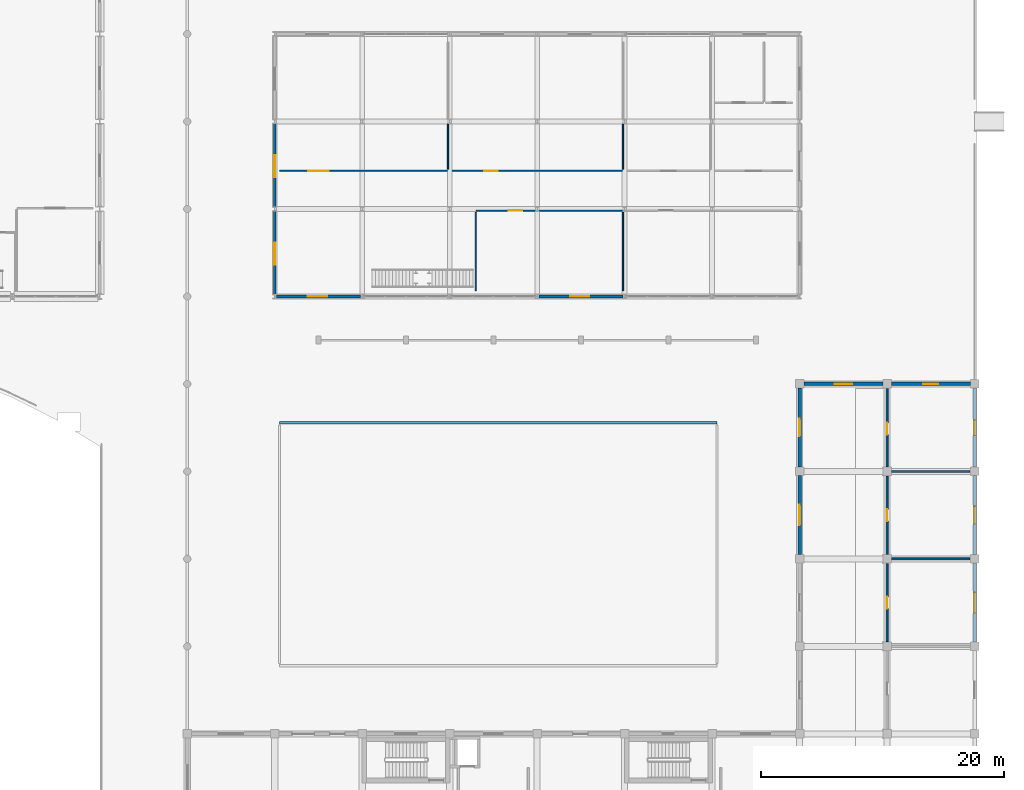
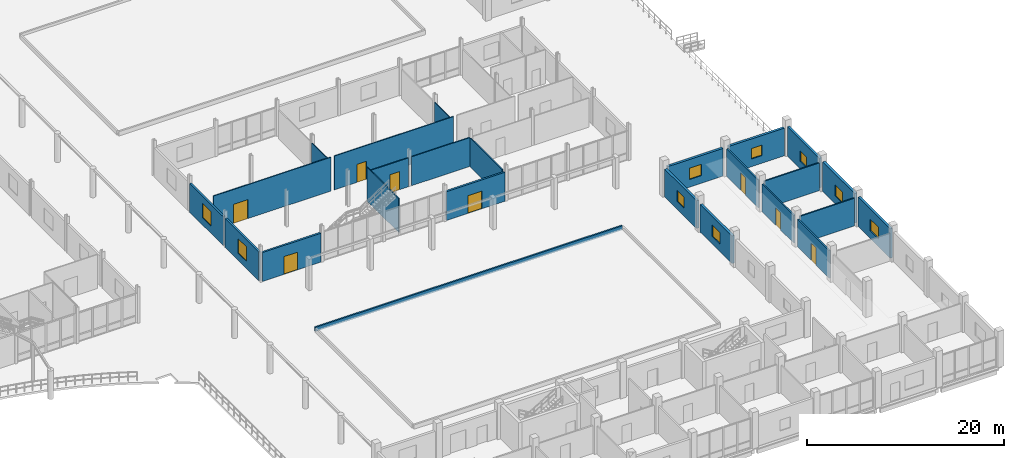
# One storey, part 122 of 139: 25 walls, 9 windows, 8 doors, 17 openings.
"""IFC4 building model written with IfcOpenShell, lengths in metres."""

from ifc_helpers import new_model, si_unit, direction, frame, frame_2d, origin, place, context, subcontext, project, spatial, rectangle, extrude, material, layer, layer_set, type_object, element, fill, save


model = new_model("IFC4")

# Units and contexts
model_context = context("Model", 3, precision=1e-05, world=origin(), true_north=direction((0.0, 1.0)))
body_context = subcontext(model_context, "Body", "Model", "MODEL_VIEW")
ifc_project = project(units=[si_unit("LENGTHUNIT", "METRE"), si_unit("AREAUNIT", "SQUARE_METRE"), si_unit("VOLUMEUNIT", "CUBIC_METRE"), si_unit("PLANEANGLEUNIT", "RADIAN"), si_unit("MASSUNIT", "GRAM", prefix="KILO")], contexts=[model_context])

# Site, building, storey
site_placement = place(None, origin())
site = spatial("IfcSite", under=ifc_project, at=site_placement, CompositionType="ELEMENT")
building_placement = place(site_placement, origin())
building = spatial("IfcBuilding", under=site, at=building_placement, Name="Suanplinth Sawtooth Commons", CompositionType="ELEMENT")
storey_placement = place(building_placement, origin())
storey = spatial("IfcBuildingStorey", under=building, at=storey_placement, Name="L00", CompositionType="ELEMENT", Elevation=0.0)

# Wall, opening, window
ifc_material_1 = material(Name="Precast concrete C40/50", Category="concrete")
ifc_layer_1 = layer(ifc_material_1, 0.280029296875, Name="Insulated precast architectural facade wall 280mm")
ifc_layer_set_1 = layer_set([ifc_layer_1], Name="Precast concrete C40/50")
wall_type_1 = type_object("IfcWallType", Name="W-EX01", PredefinedType="ELEMENTEDWALL", material=ifc_layer_set_1)
wall_1_placement = place(storey_placement, frame((172.800048828125, 29.14990234375, 0.0), z_axis=(0.0, 0.0, 1.0), x_axis=(0.0, 1.0, 0.0)))
wall_1 = element("IfcWall", 1, at=wall_1_placement, inside=storey, type_object=wall_type_1, Name="Facade Wall W-L00-C-W-24-4", PredefinedType="ELEMENTEDWALL", context=body_context, shape_type="SweptSolid", body=[
    extrude(rectangle(XDim=6.5, YDim=0.280029296875, at=frame_2d((3.25, 0.0))), origin(), (0.0, 0.0, 1.0), 3.43505859375),
])
opening_1_placement = place(wall_1_placement, frame((2.39990234375, 0.0, 0.949951171875)))
opening_1 = element("IfcOpeningElement", 2, at=opening_1_placement, cuts=wall_1, Name="Opening W0135", PredefinedType="OPENING", context=body_context, shape_type="SweptSolid", body=[
    extrude(rectangle(XDim=1.699951171875, YDim=1.449951171875, at=frame_2d((0.85009765625, 0.72509765625))), frame((0.0, 0.15478515625, 0.0), z_axis=(0.0, -1.0, 0.0), x_axis=(1.0, 0.0, 0.0)), (0.0, 0.0, 1.0), 0.309814453125),
])
ifc_material_2 = material(Name="Thermally broken aluminium and low-E double glazing", Category="aluminium")
window_type_1 = type_object("IfcWindowType", Name="WN-15", PartitioningType="DOUBLE_PANEL_VERTICAL", PredefinedType="WINDOW", material=ifc_material_2)
window_1_placement = place(opening_1_placement, origin())
window_1 = element("IfcWindow", 3, at=window_1_placement, inside=storey, type_object=window_type_1, Name="Window L00-C-W-24-4", OverallHeight=1.449951171875, OverallWidth=1.699951171875, PartitioningType="DOUBLE_PANEL_VERTICAL", PredefinedType="WINDOW", context=body_context, shape_type="SweptSolid", body=[
    extrude(rectangle(XDim=1.699951171875, YDim=1.449951171875, at=frame_2d((0.85009765625, 0.72509765625))), frame((0.0, 0.030029296875, 0.0), z_axis=(0.0, -1.0, 0.0), x_axis=(1.0, 0.0, 0.0)), (0.0, 0.0, 1.0), 0.06005859375),
])
fill(opening_1, window_1)

wall_2_placement = place(storey_placement, frame((173.14990234375, 43.199951171875, 0.0), z_axis=(0.0, 0.0, 1.0), x_axis=(1.0, 0.0, 0.0)))
wall_2 = element("IfcWall", 4, at=wall_2_placement, inside=storey, type_object=wall_type_1, Name="Facade Wall W-L00-C-N-24-5", PredefinedType="ELEMENTEDWALL", context=body_context, shape_type="SweptSolid", body=[
    extrude(rectangle(XDim=6.5, YDim=0.280029296875, at=frame_2d((3.25, 0.0))), origin(), (0.0, 0.0, 1.0), 3.43505859375),
])
opening_2_placement = place(wall_2_placement, frame((2.52490234375, 0.0, 0.949951171875)))
opening_2 = element("IfcOpeningElement", 5, at=opening_2_placement, cuts=wall_2, Name="Opening W0136", PredefinedType="OPENING", context=body_context, shape_type="SweptSolid", body=[
    extrude(rectangle(XDim=1.449951171875, YDim=1.39990234375, at=frame_2d((0.72509765625, 0.699951171875))), frame((0.0, 0.15478515625, 0.0), z_axis=(0.0, -1.0, 0.0), x_axis=(1.0, 0.0, 0.0)), (0.0, 0.0, 1.0), 0.309814453125),
])
window_type_2 = type_object("IfcWindowType", Name="WN-16", PartitioningType="DOUBLE_PANEL_VERTICAL", PredefinedType="WINDOW", material=ifc_material_2)
window_2_placement = place(opening_2_placement, origin())
window_2 = element("IfcWindow", 6, at=window_2_placement, inside=storey, type_object=window_type_2, Name="Window L00-C-N-24-5", OverallHeight=1.39990234375, OverallWidth=1.449951171875, PartitioningType="DOUBLE_PANEL_VERTICAL", PredefinedType="WINDOW", context=body_context, shape_type="SweptSolid", body=[
    extrude(rectangle(XDim=1.449951171875, YDim=1.39990234375, at=frame_2d((0.72509765625, 0.699951171875))), frame((0.0, 0.030029296875, 0.0), z_axis=(0.0, -1.0, 0.0), x_axis=(1.0, 0.0, 0.0)), (0.0, 0.0, 1.0), 0.06005859375),
])
fill(opening_2, window_2)

wall_3_placement = place(storey_placement, frame((172.800048828125, 36.35009765625, 0.0), z_axis=(0.0, 0.0, 1.0), x_axis=(0.0, 1.0, 0.0)))
wall_3 = element("IfcWall", 7, at=wall_3_placement, inside=storey, type_object=wall_type_1, Name="Facade Wall W-L00-C-W-24-5", PredefinedType="ELEMENTEDWALL", context=body_context, shape_type="SweptSolid", body=[
    extrude(rectangle(XDim=6.5, YDim=0.280029296875, at=frame_2d((3.25, 0.0))), origin(), (0.0, 0.0, 1.0), 3.43505859375),
])
opening_3_placement = place(wall_3_placement, frame((2.52490234375, 0.0, 0.949951171875)))
opening_3 = element("IfcOpeningElement", 8, at=opening_3_placement, cuts=wall_3, Name="Opening W0137", PredefinedType="OPENING", context=body_context, shape_type="SweptSolid", body=[
    extrude(rectangle(XDim=1.449951171875, YDim=1.39990234375, at=frame_2d((0.72509765625, 0.699951171875))), frame((0.0, 0.15478515625, 0.0), z_axis=(0.0, -1.0, 0.0), x_axis=(1.0, 0.0, 0.0)), (0.0, 0.0, 1.0), 0.309814453125),
])
window_3_placement = place(opening_3_placement, origin())
window_3 = element("IfcWindow", 9, at=window_3_placement, inside=storey, type_object=window_type_2, Name="Window L00-C-W-24-5", OverallHeight=1.39990234375, OverallWidth=1.449951171875, PartitioningType="DOUBLE_PANEL_VERTICAL", PredefinedType="WINDOW", context=body_context, shape_type="SweptSolid", body=[
    extrude(rectangle(XDim=1.449951171875, YDim=1.39990234375, at=frame_2d((0.72509765625, 0.699951171875))), frame((0.0, 0.030029296875, 0.0), z_axis=(0.0, -1.0, 0.0), x_axis=(1.0, 0.0, 0.0)), (0.0, 0.0, 1.0), 0.06005859375),
])
fill(opening_3, window_3)

wall_4_placement = place(storey_placement, frame((187.199951171875, 21.949951171875, 0.0), z_axis=(0.0, 0.0, 1.0), x_axis=(0.0, 1.0, 0.0)))
wall_4 = element("IfcWall", 10, at=wall_4_placement, inside=storey, type_object=wall_type_1, Name="Facade Wall W-L00-C-E-25-3", PredefinedType="ELEMENTEDWALL", context=body_context, shape_type="SweptSolid", body=[
    extrude(rectangle(XDim=6.5, YDim=0.280029296875, at=frame_2d((3.25, 0.0))), origin(), (0.0, 0.0, 1.0), 3.6650390625),
])
opening_4_placement = place(wall_4_placement, frame((2.39990234375, 0.0, 0.949951171875)))
opening_4 = element("IfcOpeningElement", 11, at=opening_4_placement, cuts=wall_4, Name="Opening W0141", PredefinedType="OPENING", context=body_context, shape_type="SweptSolid", body=[
    extrude(rectangle(XDim=1.699951171875, YDim=1.449951171875, at=frame_2d((0.85009765625, 0.72509765625))), frame((0.0, 0.15478515625, 0.0), z_axis=(0.0, -1.0, 0.0), x_axis=(1.0, 0.0, 0.0)), (0.0, 0.0, 1.0), 0.309814453125),
])
window_4_placement = place(opening_4_placement, origin())
window_4 = element("IfcWindow", 12, at=window_4_placement, inside=storey, type_object=window_type_1, Name="Window L00-C-E-25-3", OverallHeight=1.449951171875, OverallWidth=1.699951171875, PartitioningType="DOUBLE_PANEL_VERTICAL", PredefinedType="WINDOW", context=body_context, shape_type="SweptSolid", body=[
    extrude(rectangle(XDim=1.699951171875, YDim=1.449951171875, at=frame_2d((0.85009765625, 0.72509765625))), frame((0.0, 0.030029296875, 0.0), z_axis=(0.0, -1.0, 0.0), x_axis=(1.0, 0.0, 0.0)), (0.0, 0.0, 1.0), 0.06005859375),
])
fill(opening_4, window_4)

wall_5_placement = place(storey_placement, frame((187.199951171875, 29.14990234375, 0.0), z_axis=(0.0, 0.0, 1.0), x_axis=(0.0, 1.0, 0.0)))
wall_5 = element("IfcWall", 13, at=wall_5_placement, inside=storey, type_object=wall_type_1, Name="Facade Wall W-L00-C-E-25-4", PredefinedType="ELEMENTEDWALL", context=body_context, shape_type="SweptSolid", body=[
    extrude(rectangle(XDim=6.5, YDim=0.280029296875, at=frame_2d((3.25, 0.0))), origin(), (0.0, 0.0, 1.0), 3.6650390625),
])
opening_5_placement = place(wall_5_placement, frame((2.52490234375, 0.0, 0.949951171875)))
opening_5 = element("IfcOpeningElement", 14, at=opening_5_placement, cuts=wall_5, Name="Opening W0142", PredefinedType="OPENING", context=body_context, shape_type="SweptSolid", body=[
    extrude(rectangle(XDim=1.449951171875, YDim=1.39990234375, at=frame_2d((0.72509765625, 0.699951171875))), frame((0.0, 0.15478515625, 0.0), z_axis=(0.0, -1.0, 0.0), x_axis=(1.0, 0.0, 0.0)), (0.0, 0.0, 1.0), 0.309814453125),
])
window_5_placement = place(opening_5_placement, origin())
window_5 = element("IfcWindow", 15, at=window_5_placement, inside=storey, type_object=window_type_2, Name="Window L00-C-E-25-4", OverallHeight=1.39990234375, OverallWidth=1.449951171875, PartitioningType="DOUBLE_PANEL_VERTICAL", PredefinedType="WINDOW", context=body_context, shape_type="SweptSolid", body=[
    extrude(rectangle(XDim=1.449951171875, YDim=1.39990234375, at=frame_2d((0.72509765625, 0.699951171875))), frame((0.0, 0.030029296875, 0.0), z_axis=(0.0, -1.0, 0.0), x_axis=(1.0, 0.0, 0.0)), (0.0, 0.0, 1.0), 0.06005859375),
])
fill(opening_5, window_5)

wall_6_placement = place(storey_placement, frame((180.35009765625, 43.199951171875, 0.0), z_axis=(0.0, 0.0, 1.0), x_axis=(1.0, 0.0, 0.0)))
wall_6 = element("IfcWall", 16, at=wall_6_placement, inside=storey, type_object=wall_type_1, Name="Facade Wall W-L00-C-N-25-5", PredefinedType="ELEMENTEDWALL", context=body_context, shape_type="SweptSolid", body=[
    extrude(rectangle(XDim=6.5, YDim=0.280029296875, at=frame_2d((3.25, 0.0))), origin(), (0.0, 0.0, 1.0), 3.43505859375),
])
opening_6_placement = place(wall_6_placement, frame((2.625, 0.0, 0.949951171875)))
opening_6 = element("IfcOpeningElement", 17, at=opening_6_placement, cuts=wall_6, Name="Opening W0143", PredefinedType="OPENING", context=body_context, shape_type="SweptSolid", body=[
    extrude(rectangle(XDim=1.25, YDim=1.300048828125, at=frame_2d((0.625, 0.64990234375))), frame((0.0, 0.15478515625, 0.0), z_axis=(0.0, -1.0, 0.0), x_axis=(1.0, 0.0, 0.0)), (0.0, 0.0, 1.0), 0.309814453125),
])
window_type_3 = type_object("IfcWindowType", Name="WN-17", PartitioningType="SINGLE_PANEL", PredefinedType="WINDOW", material=ifc_material_2)
window_6_placement = place(opening_6_placement, origin())
window_6 = element("IfcWindow", 18, at=window_6_placement, inside=storey, type_object=window_type_3, Name="Window L00-C-N-25-5", OverallHeight=1.300048828125, OverallWidth=1.25, PartitioningType="SINGLE_PANEL", PredefinedType="WINDOW", context=body_context, shape_type="SweptSolid", body=[
    extrude(rectangle(XDim=1.25, YDim=1.300048828125, at=frame_2d((0.625, 0.64990234375))), frame((0.0, 0.030029296875, 0.0), z_axis=(0.0, -1.0, 0.0), x_axis=(1.0, 0.0, 0.0)), (0.0, 0.0, 1.0), 0.06005859375),
])
fill(opening_6, window_6)

wall_7_placement = place(storey_placement, frame((187.199951171875, 36.35009765625, 0.0), z_axis=(0.0, 0.0, 1.0), x_axis=(0.0, 1.0, 0.0)))
wall_7 = element("IfcWall", 19, at=wall_7_placement, inside=storey, type_object=wall_type_1, Name="Facade Wall W-L00-C-E-25-5", PredefinedType="ELEMENTEDWALL", context=body_context, shape_type="SweptSolid", body=[
    extrude(rectangle(XDim=6.5, YDim=0.280029296875, at=frame_2d((3.25, 0.0))), origin(), (0.0, 0.0, 1.0), 3.6650390625),
])
opening_7_placement = place(wall_7_placement, frame((2.625, 0.0, 0.949951171875)))
opening_7 = element("IfcOpeningElement", 20, at=opening_7_placement, cuts=wall_7, Name="Opening W0144", PredefinedType="OPENING", context=body_context, shape_type="SweptSolid", body=[
    extrude(rectangle(XDim=1.25, YDim=1.300048828125, at=frame_2d((0.625, 0.64990234375))), frame((0.0, 0.15478515625, 0.0), z_axis=(0.0, -1.0, 0.0), x_axis=(1.0, 0.0, 0.0)), (0.0, 0.0, 1.0), 0.309814453125),
])
window_7_placement = place(opening_7_placement, origin())
window_7 = element("IfcWindow", 21, at=window_7_placement, inside=storey, type_object=window_type_3, Name="Window L00-C-E-25-5", OverallHeight=1.300048828125, OverallWidth=1.25, PartitioningType="SINGLE_PANEL", PredefinedType="WINDOW", context=body_context, shape_type="SweptSolid", body=[
    extrude(rectangle(XDim=1.25, YDim=1.300048828125, at=frame_2d((0.625, 0.64990234375))), frame((0.0, 0.030029296875, 0.0), z_axis=(0.0, -1.0, 0.0), x_axis=(1.0, 0.0, 0.0)), (0.0, 0.0, 1.0), 0.06005859375),
])
fill(opening_7, window_7)

# Wall, opening, door
ifc_layer_2 = layer(ifc_material_1, 0.219970703125, Name="Civic pavilion insulated facade wall 220mm")
ifc_layer_set_2 = layer_set([ifc_layer_2], Name="Precast concrete C40/50")
wall_type_2 = type_object("IfcWallType", Name="W-EX05", PredefinedType="ELEMENTEDWALL", material=ifc_layer_set_2)
wall_8_placement = place(storey_placement, frame((129.75, 50.39990234375, 0.0), z_axis=(0.0, 0.0, 1.0), x_axis=(1.0, 0.0, 0.0)))
wall_8 = element("IfcWall", 22, at=wall_8_placement, inside=storey, type_object=wall_type_2, Name="Nursery South Entrance Wall 18", PredefinedType="ELEMENTEDWALL", context=body_context, shape_type="SweptSolid", body=[
    extrude(rectangle(XDim=6.89990234375, YDim=0.219970703125, at=frame_2d((3.449951171875, 0.0))), origin(), (0.0, 0.0, 1.0), 3.5849609375),
])
opening_8_placement = place(wall_8_placement, frame((2.550048828125, 0.0, 0.0)))
opening_8 = element("IfcOpeningElement", 23, at=opening_8_placement, cuts=wall_8, Name="Opening ED0009", PredefinedType="OPENING", context=body_context, shape_type="SweptSolid", body=[
    extrude(rectangle(XDim=1.60009765625, YDim=2.199951171875, at=frame_2d((0.800048828125, 1.10009765625))), frame((0.0, 0.125, 0.0), z_axis=(0.0, -1.0, 0.0), x_axis=(1.0, 0.0, 0.0)), (0.0, 0.0, 1.0), 0.249755859375),
])
ifc_material_3 = material(Name="Anodized aluminium and safety glass", Category="aluminium")
door_type_1 = type_object("IfcDoorType", Name="ED-04", OperationType="DOUBLE_DOOR_SINGLE_SWING", PredefinedType="DOOR", material=ifc_material_3)
door_1_placement = place(opening_8_placement, frame((1.60009765625, 0.0, 0.0), z_axis=(0.0, 0.0, 1.0), x_axis=(-1.0, 0.0, 0.0)))
door_1 = element("IfcDoor", 24, at=door_1_placement, inside=storey, type_object=door_type_1, Name="Nursery Courtyard Entrance 18", OperationType="DOUBLE_DOOR_SINGLE_SWING", OverallHeight=2.199951171875, OverallWidth=1.60009765625, PredefinedType="DOOR", context=body_context, shape_type="SweptSolid", body=[
    extrude(rectangle(XDim=1.60009765625, YDim=2.199951171875, at=frame_2d((0.800048828125, 1.10009765625))), frame((0.0, 0.02490234375, 0.0), z_axis=(0.0, -1.0, 0.0), x_axis=(1.0, 0.0, 0.0)), (0.0, 0.0, 1.0), 0.050048828125),
])
fill(opening_8, door_1)

wall_9_placement = place(storey_placement, frame((151.35009765625, 50.39990234375, 0.0), z_axis=(0.0, 0.0, 1.0), x_axis=(1.0, 0.0, 0.0)))
wall_9 = element("IfcWall", 25, at=wall_9_placement, inside=storey, type_object=wall_type_2, Name="Nursery South Entrance Wall 21", PredefinedType="ELEMENTEDWALL", context=body_context, shape_type="SweptSolid", body=[
    extrude(rectangle(XDim=6.89990234375, YDim=0.219970703125, at=frame_2d((3.449951171875, 0.0))), origin(), (0.0, 0.0, 1.0), 3.5849609375),
])
opening_9_placement = place(wall_9_placement, frame((2.550048828125, 0.0, 0.0)))
opening_9 = element("IfcOpeningElement", 26, at=opening_9_placement, cuts=wall_9, Name="Opening ED0010", PredefinedType="OPENING", context=body_context, shape_type="SweptSolid", body=[
    extrude(rectangle(XDim=1.60009765625, YDim=2.199951171875, at=frame_2d((0.800048828125, 1.10009765625))), frame((0.0, 0.125, 0.0), z_axis=(0.0, -1.0, 0.0), x_axis=(1.0, 0.0, 0.0)), (0.0, 0.0, 1.0), 0.249755859375),
])
door_2_placement = place(opening_9_placement, frame((1.60009765625, 0.0, 0.0), z_axis=(0.0, 0.0, 1.0), x_axis=(-1.0, 0.0, 0.0)))
door_2 = element("IfcDoor", 27, at=door_2_placement, inside=storey, type_object=door_type_1, Name="Nursery Courtyard Entrance 21", OperationType="DOUBLE_DOOR_SINGLE_SWING", OverallHeight=2.199951171875, OverallWidth=1.60009765625, PredefinedType="DOOR", context=body_context, shape_type="SweptSolid", body=[
    extrude(rectangle(XDim=1.60009765625, YDim=2.199951171875, at=frame_2d((0.800048828125, 1.10009765625))), frame((0.0, 0.02490234375, 0.0), z_axis=(0.0, -1.0, 0.0), x_axis=(1.0, 0.0, 0.0)), (0.0, 0.0, 1.0), 0.050048828125),
])
fill(opening_9, door_2)

# Wall, opening, window
wall_10_placement = place(storey_placement, frame((129.60009765625, 50.580078125, 0.0), z_axis=(0.0, 0.0, 1.0), x_axis=(0.0, 1.0, 0.0)))
wall_10 = element("IfcWall", 28, at=wall_10_placement, inside=storey, type_object=wall_type_2, Name="Nursery W Wall L00-7", PredefinedType="ELEMENTEDWALL", context=body_context, shape_type="SweptSolid", body=[
    extrude(rectangle(XDim=6.83984375, YDim=0.219970703125, at=frame_2d((3.419921875, 0.0))), origin(), (0.0, 0.0, 1.0), 3.5849609375),
])
opening_10_placement = place(wall_10_placement, frame((2.449951171875, 0.0, 0.89990234375)))
opening_10 = element("IfcOpeningElement", 29, at=opening_10_placement, cuts=wall_10, Name="Opening W0042", PredefinedType="OPENING", context=body_context, shape_type="SweptSolid", body=[
    extrude(rectangle(XDim=1.800048828125, YDim=1.800048828125, at=frame_2d((0.89990234375, 0.89990234375))), frame((0.0, 0.125, 0.0), z_axis=(0.0, -1.0, 0.0), x_axis=(1.0, 0.0, 0.0)), (0.0, 0.0, 1.0), 0.249755859375),
])
window_type_4 = type_object("IfcWindowType", Name="WN-07", PartitioningType="DOUBLE_PANEL_VERTICAL", PredefinedType="WINDOW", material=ifc_material_2)
window_8_placement = place(opening_10_placement, origin())
window_8 = element("IfcWindow", 30, at=window_8_placement, inside=storey, type_object=window_type_4, Name="Nursery W Window L00-7", OverallHeight=1.800048828125, OverallWidth=1.800048828125, PartitioningType="DOUBLE_PANEL_VERTICAL", PredefinedType="WINDOW", context=body_context, shape_type="SweptSolid", body=[
    extrude(rectangle(XDim=1.800048828125, YDim=1.800048828125, at=frame_2d((0.89990234375, 0.89990234375))), frame((0.0, 0.030029296875, 0.0), z_axis=(0.0, -1.0, 0.0), x_axis=(1.0, 0.0, 0.0)), (0.0, 0.0, 1.0), 0.06005859375),
])
fill(opening_10, window_8)

wall_11_placement = place(storey_placement, frame((129.60009765625, 57.780029296875, 0.0), z_axis=(0.0, 0.0, 1.0), x_axis=(0.0, 1.0, 0.0)))
wall_11 = element("IfcWall", 31, at=wall_11_placement, inside=storey, type_object=wall_type_2, Name="Nursery W Wall L00-8", PredefinedType="ELEMENTEDWALL", context=body_context, shape_type="SweptSolid", body=[
    extrude(rectangle(XDim=6.840087890625, YDim=0.219970703125, at=frame_2d((3.419921875, 0.0))), origin(), (0.0, 0.0, 1.0), 3.5849609375),
])
opening_11_placement = place(wall_11_placement, frame((2.449951171875, 0.0, 0.89990234375)))
opening_11 = element("IfcOpeningElement", 32, at=opening_11_placement, cuts=wall_11, Name="Opening W0046", PredefinedType="OPENING", context=body_context, shape_type="SweptSolid", body=[
    extrude(rectangle(XDim=1.800048828125, YDim=1.800048828125, at=frame_2d((0.89990234375, 0.89990234375))), frame((0.0, 0.125, 0.0), z_axis=(0.0, -1.0, 0.0), x_axis=(1.0, 0.0, 0.0)), (0.0, 0.0, 1.0), 0.249755859375),
])
window_9_placement = place(opening_11_placement, origin())
window_9 = element("IfcWindow", 33, at=window_9_placement, inside=storey, type_object=window_type_4, Name="Nursery W Window L00-8", OverallHeight=1.800048828125, OverallWidth=1.800048828125, PartitioningType="DOUBLE_PANEL_VERTICAL", PredefinedType="WINDOW", context=body_context, shape_type="SweptSolid", body=[
    extrude(rectangle(XDim=1.800048828125, YDim=1.800048828125, at=frame_2d((0.89990234375, 0.89990234375))), frame((0.0, 0.030029296875, 0.0), z_axis=(0.0, -1.0, 0.0), x_axis=(1.0, 0.0, 0.0)), (0.0, 0.0, 1.0), 0.06005859375),
])
fill(opening_11, window_9)

# Wall, opening, door
ifc_layer_3 = layer(ifc_material_1, 0.159912109375, Name="Fire-rated corridor and lobby wall 160mm")
ifc_layer_set_3 = layer_set([ifc_layer_3], Name="Precast concrete C40/50")
wall_type_3 = type_object("IfcWallType", Name="W-FW01", PredefinedType="PARTITIONING", material=ifc_layer_set_3)
wall_12_placement = place(storey_placement, frame((180.0, 21.97998046875, 0.0), z_axis=(0.0, 0.0, 1.0), x_axis=(0.0, 1.0, 0.0)))
wall_12 = element("IfcWall", 34, at=wall_12_placement, inside=storey, type_object=wall_type_3, Name="W-C-L00-GROUNDROOM-39-COR", PredefinedType="PARTITIONING", context=body_context, shape_type="SweptSolid", body=[
    extrude(rectangle(XDim=6.43994140625, YDim=0.159912109375, at=frame_2d((3.219970703125, 0.0))), origin(), (0.0, 0.0, 1.0), 3.43505859375),
])
opening_12_placement = place(wall_12_placement, frame((2.719970703125, 0.0, 0.0)))
opening_12 = element("IfcOpeningElement", 35, at=opening_12_placement, cuts=wall_12, Name="Opening FD0509", PredefinedType="OPENING", context=body_context, shape_type="SweptSolid", body=[
    extrude(rectangle(XDim=1.0, YDim=2.14990234375, at=frame_2d((0.5, 1.074951171875))), frame((0.0, 0.0947265625, 0.0), z_axis=(0.0, -1.0, 0.0), x_axis=(1.0, 0.0, 0.0)), (0.0, 0.0, 1.0), 0.189697265625),
])
ifc_material_4 = material(Name="Teak hardwood fire-rated door assembly", Category="wood")
door_type_2 = type_object("IfcDoorType", Name="FD-03", OperationType="NOTDEFINED", PredefinedType="DOOR", material=ifc_material_4)
door_3_placement = place(opening_12_placement, frame((1.0, 0.0, 0.0), z_axis=(0.0, 0.0, 1.0), x_axis=(-1.0, 0.0, 0.0)))
door_3 = element("IfcDoor", 36, at=door_3_placement, inside=storey, type_object=door_type_2, Name="Wing Unit Entrance Door FD0509", OperationType="SINGLE_SWING_LEFT", OverallHeight=2.14990234375, OverallWidth=1.0, PredefinedType="DOOR", context=body_context, shape_type="SweptSolid", body=[
    extrude(rectangle(XDim=1.0, YDim=2.14990234375, at=frame_2d((0.5, 1.074951171875))), frame((0.0, 0.02490234375, 0.0), z_axis=(0.0, -1.0, 0.0), x_axis=(1.0, 0.0, 0.0)), (0.0, 0.0, 1.0), 0.050048828125),
])
fill(opening_12, door_3)

wall_13_placement = place(storey_placement, frame((180.0, 29.179931640625, 0.0), z_axis=(0.0, 0.0, 1.0), x_axis=(0.0, 1.0, 0.0)))
wall_13 = element("IfcWall", 37, at=wall_13_placement, inside=storey, type_object=wall_type_3, Name="W-C-L00-GROUNDROOM-40-COR", PredefinedType="PARTITIONING", context=body_context, shape_type="SweptSolid", body=[
    extrude(rectangle(XDim=6.440185546875, YDim=0.159912109375, at=frame_2d((3.22021484375, 0.0))), origin(), (0.0, 0.0, 1.0), 3.43505859375),
])
opening_13_placement = place(wall_13_placement, frame((2.719970703125, 0.0, 0.0)))
opening_13 = element("IfcOpeningElement", 38, at=opening_13_placement, cuts=wall_13, Name="Opening FD0510", PredefinedType="OPENING", context=body_context, shape_type="SweptSolid", body=[
    extrude(rectangle(XDim=1.0, YDim=2.14990234375, at=frame_2d((0.5, 1.074951171875))), frame((0.0, 0.0947265625, 0.0), z_axis=(0.0, -1.0, 0.0), x_axis=(1.0, 0.0, 0.0)), (0.0, 0.0, 1.0), 0.189697265625),
])
door_4_placement = place(opening_13_placement, frame((1.0, 0.0, 0.0), z_axis=(0.0, 0.0, 1.0), x_axis=(-1.0, 0.0, 0.0)))
door_4 = element("IfcDoor", 39, at=door_4_placement, inside=storey, type_object=door_type_2, Name="Wing Unit Entrance Door FD0510", OperationType="SINGLE_SWING_RIGHT", OverallHeight=2.14990234375, OverallWidth=1.0, PredefinedType="DOOR", context=body_context, shape_type="SweptSolid", body=[
    extrude(rectangle(XDim=1.0, YDim=2.14990234375, at=frame_2d((0.5, 1.074951171875))), frame((0.0, 0.02490234375, 0.0), z_axis=(0.0, -1.0, 0.0), x_axis=(1.0, 0.0, 0.0)), (0.0, 0.0, 1.0), 0.050048828125),
])
fill(opening_13, door_4)

wall_14_placement = place(storey_placement, frame((180.0, 36.3798828125, 0.0), z_axis=(0.0, 0.0, 1.0), x_axis=(0.0, 1.0, 0.0)))
wall_14 = element("IfcWall", 40, at=wall_14_placement, inside=storey, type_object=wall_type_3, Name="W-C-L00-GROUNDROOM-41-COR", PredefinedType="PARTITIONING", context=body_context, shape_type="SweptSolid", body=[
    extrude(rectangle(XDim=6.440185546875, YDim=0.159912109375, at=frame_2d((3.22021484375, 0.0))), origin(), (0.0, 0.0, 1.0), 3.43505859375),
])
opening_14_placement = place(wall_14_placement, frame((2.6201171875, 0.0, 0.0)))
opening_14 = element("IfcOpeningElement", 41, at=opening_14_placement, cuts=wall_14, Name="Opening FD0511", PredefinedType="OPENING", context=body_context, shape_type="SweptSolid", body=[
    extrude(rectangle(XDim=1.0, YDim=2.14990234375, at=frame_2d((0.5, 1.074951171875))), frame((0.0, 0.0947265625, 0.0), z_axis=(0.0, -1.0, 0.0), x_axis=(1.0, 0.0, 0.0)), (0.0, 0.0, 1.0), 0.189697265625),
])
door_5_placement = place(opening_14_placement, frame((1.0, 0.0, 0.0), z_axis=(0.0, 0.0, 1.0), x_axis=(-1.0, 0.0, 0.0)))
door_5 = element("IfcDoor", 42, at=door_5_placement, inside=storey, type_object=door_type_2, Name="Wing Unit Entrance Door FD0511", OperationType="SINGLE_SWING_LEFT", OverallHeight=2.14990234375, OverallWidth=1.0, PredefinedType="DOOR", context=body_context, shape_type="SweptSolid", body=[
    extrude(rectangle(XDim=1.0, YDim=2.14990234375, at=frame_2d((0.5, 1.074951171875))), frame((0.0, 0.02490234375, 0.0), z_axis=(0.0, -1.0, 0.0), x_axis=(1.0, 0.0, 0.0)), (0.0, 0.0, 1.0), 0.050048828125),
])
fill(opening_14, door_5)

# Walls
ifc_layer_4 = layer(ifc_material_1, 0.14990234375, Name="Acoustic precast party demising wall 150mm")
ifc_layer_set_4 = layer_set([ifc_layer_4], Name="Precast concrete C40/50")
wall_type_4 = type_object("IfcWallType", Name="W-FW02", PredefinedType="PARTITIONING", material=ifc_layer_set_4)
for number, where, z_axis, x_axis, name in (
    (43, (180.3798828125, 28.800048828125, 0.0), (0.0, 0.0, 1.0), (1.0, 0.0, 0.0), "W-C-L00-GROUNDROOM-39-PTY"),
    (44, (180.3798828125, 36.0, 0.0), (0.0, 0.0, 1.0), (1.0, 0.0, 0.0), "W-C-L00-GROUNDROOM-40-PTY"),
):
    element("IfcWall", number, at=place(storey_placement, frame(where, z_axis=z_axis, x_axis=x_axis)), inside=storey, type_object=wall_type_4, Name=name, PredefinedType="PARTITIONING", context=body_context, shape_type="SweptSolid", body=[
        extrude(rectangle(XDim=6.440185546875, YDim=0.14990234375, at=frame_2d((3.22021484375, 0.0))), origin(), (0.0, 0.0, 1.0), 3.43505859375),
    ])
ifc_layer_5 = layer(ifc_material_1, 0.179931640625, Name="Terrace & courtyard planter kerb wall 180mm")
ifc_layer_set_5 = layer_set([ifc_layer_5], Name="Precast concrete C40/50")
wall_type_5 = type_object("IfcWallType", Name="W-PR02", PredefinedType="PARAPET", material=ifc_layer_set_5)
wall_15_placement = place(storey_placement, frame((130.0, 40.0, 0.0), z_axis=(0.0, 0.0, 1.0), x_axis=(1.0, 0.0, 0.0)))
element("IfcWall", 45, at=wall_15_placement, inside=storey, type_object=wall_type_5, Name="South-East Canal-Court Lotus Planter Kerb N", PredefinedType="PARAPET", context=body_context, shape_type="SweptSolid", body=[
    extrude(rectangle(XDim=36.0, YDim=0.179931640625, at=frame_2d((18.0, 0.0))), origin(), (0.0, 0.0, 1.0), 0.52001953125),
])

# Wall, opening, door
ifc_material_5 = material(Name="Gypsum plasterboard on steel stud", Category="steel")
ifc_layer_6 = layer(ifc_material_5, 0.110107421875, Name="Civic classroom and clinic partition 110mm")
ifc_layer_set_6 = layer_set([ifc_layer_6], Name="Gypsum plasterboard on steel stud")
wall_type_6 = type_object("IfcWallType", Name="W-PT04", PredefinedType="PARTITIONING", material=ifc_layer_set_6)
wall_16_placement = place(storey_placement, frame((146.199951171875, 57.4599609375, 0.0), z_axis=(0.0, 0.0, 1.0), x_axis=(1.0, 0.0, 0.0)))
wall_16 = element("IfcWall", 46, at=wall_16_placement, inside=storey, type_object=wall_type_6, Name="W-L00-NURS-TOD1-N-S1", PredefinedType="PARTITIONING", context=body_context, shape_type="SweptSolid", body=[
    extrude(rectangle(XDim=4.820068359375, YDim=0.110107421875, at=frame_2d((2.41015625, 0.0))), origin(), (0.0, 0.0, 1.0), 3.5849609375),
])
opening_15_placement = place(wall_16_placement, frame((2.64990234375, 0.0, 0.0)))
opening_15 = element("IfcOpeningElement", 47, at=opening_15_placement, cuts=wall_16, Name="Opening D0443", PredefinedType="OPENING", context=body_context, shape_type="SweptSolid", body=[
    extrude(rectangle(XDim=1.10009765625, YDim=2.25, at=frame_2d((0.550048828125, 1.125))), frame((0.0, 0.06982421875, 0.0), z_axis=(0.0, -1.0, 0.0), x_axis=(1.0, 0.0, 0.0)), (0.0, 0.0, 1.0), 0.139892578125),
])
ifc_material_6 = material(Name="Teak hardwood", Category="wood")
door_type_3 = type_object("IfcDoorType", Name="D-06", OperationType="NOTDEFINED", PredefinedType="DOOR", material=ifc_material_6)
door_6_placement = place(opening_15_placement, frame((1.10009765625, 0.0, 0.0), z_axis=(0.0, 0.0, 1.0), x_axis=(-1.0, 0.0, 0.0)))
door_6 = element("IfcDoor", 48, at=door_6_placement, inside=storey, type_object=door_type_3, Name="Civic Room Door D0443", OperationType="SINGLE_SWING_LEFT", OverallHeight=2.25, OverallWidth=1.10009765625, PredefinedType="DOOR", context=body_context, shape_type="SweptSolid", body=[
    extrude(rectangle(XDim=1.10009765625, YDim=2.25, at=frame_2d((0.550048828125, 1.125))), frame((0.0, 0.02490234375, 0.0), z_axis=(0.0, -1.0, 0.0), x_axis=(1.0, 0.0, 0.0)), (0.0, 0.0, 1.0), 0.050048828125),
])
fill(opening_15, door_6)

# Walls
wall_17_placement = place(storey_placement, frame((151.3798828125, 57.4599609375, 0.0), z_axis=(0.0, 0.0, 1.0), x_axis=(1.0, 0.0, 0.0)))
element("IfcWall", 49, at=wall_17_placement, inside=storey, type_object=wall_type_6, Name="W-L00-NURS-TOD1-N-S2", PredefinedType="PARTITIONING", context=body_context, shape_type="SweptSolid", body=[
    extrude(rectangle(XDim=6.820068359375, YDim=0.110107421875, at=frame_2d((3.41015625, 0.0))), origin(), (0.0, 0.0, 1.0), 3.5849609375),
])
wall_18_placement = place(storey_placement, frame((146.139892578125, 50.8798828125, 0.0), z_axis=(0.0, 0.0, 1.0), x_axis=(0.0, 1.0, 0.0)))
element("IfcWall", 50, at=wall_18_placement, inside=storey, type_object=wall_type_6, Name="W-L00-NURS-TOD1-W", PredefinedType="PARTITIONING", context=body_context, shape_type="SweptSolid", body=[
    extrude(rectangle(XDim=6.440185546875, YDim=0.110107421875, at=frame_2d((3.22021484375, 0.0))), origin(), (0.0, 0.0, 1.0), 4.199951171875),
])
wall_19_placement = place(storey_placement, frame((158.260009765625, 50.8798828125, 0.0), z_axis=(0.0, 0.0, 1.0), x_axis=(0.0, 1.0, 0.0)))
element("IfcWall", 51, at=wall_19_placement, inside=storey, type_object=wall_type_6, Name="W-L00-NURS-TOD1-E", PredefinedType="PARTITIONING", context=body_context, shape_type="SweptSolid", body=[
    extrude(rectangle(XDim=6.440185546875, YDim=0.110107421875, at=frame_2d((3.22021484375, 0.0))), origin(), (0.0, 0.0, 1.0), 3.5849609375),
])

# Wall, opening, door
wall_20_placement = place(storey_placement, frame((130.0, 60.739990234375, 0.0), z_axis=(0.0, 0.0, 1.0), x_axis=(1.0, 0.0, 0.0)))
wall_20 = element("IfcWall", 52, at=wall_20_placement, inside=storey, type_object=wall_type_6, Name="W-L00-NURS-PRE1-S", PredefinedType="PARTITIONING", context=body_context, shape_type="SweptSolid", body=[
    extrude(rectangle(XDim=13.800048828125, YDim=0.110107421875, at=frame_2d((6.89990234375, 0.0))), origin(), (0.0, 0.0, 1.0), 4.199951171875),
])
opening_16_placement = place(wall_20_placement, frame((2.35009765625, 0.0, 0.0)))
opening_16 = element("IfcOpeningElement", 53, at=opening_16_placement, cuts=wall_20, Name="Opening D0445", PredefinedType="OPENING", context=body_context, shape_type="SweptSolid", body=[
    extrude(rectangle(XDim=1.699951171875, YDim=2.35009765625, at=frame_2d((0.85009765625, 1.175048828125))), frame((0.0, 0.06982421875, 0.0), z_axis=(0.0, -1.0, 0.0), x_axis=(1.0, 0.0, 0.0)), (0.0, 0.0, 1.0), 0.139892578125),
])
door_type_4 = type_object("IfcDoorType", Name="D-11", OperationType="DOUBLE_DOOR_SINGLE_SWING", PredefinedType="DOOR", material=ifc_material_6)
door_7_placement = place(opening_16_placement, origin())
door_7 = element("IfcDoor", 54, at=door_7_placement, inside=storey, type_object=door_type_4, Name="Civic Room Door D0445", OperationType="DOUBLE_DOOR_SINGLE_SWING", OverallHeight=2.35009765625, OverallWidth=1.699951171875, PredefinedType="DOOR", context=body_context, shape_type="SweptSolid", body=[
    extrude(rectangle(XDim=1.699951171875, YDim=2.35009765625, at=frame_2d((0.85009765625, 1.175048828125))), frame((0.0, 0.02490234375, 0.0), z_axis=(0.0, -1.0, 0.0), x_axis=(1.0, 0.0, 0.0)), (0.0, 0.0, 1.0), 0.050048828125),
])
fill(opening_16, door_7)

# Wall
wall_21_placement = place(storey_placement, frame((143.860107421875, 60.8798828125, 0.0), z_axis=(0.0, 0.0, 1.0), x_axis=(0.0, 1.0, 0.0)))
element("IfcWall", 55, at=wall_21_placement, inside=storey, type_object=wall_type_6, Name="W-L00-NURS-PRE1-E-S1", PredefinedType="PARTITIONING", context=body_context, shape_type="SweptSolid", body=[
    extrude(rectangle(XDim=3.740234375, YDim=0.110107421875, at=frame_2d((1.8701171875, 0.0))), origin(), (0.0, 0.0, 1.0), 3.5849609375),
])

# Wall, opening, door
wall_22_placement = place(storey_placement, frame((144.199951171875, 60.739990234375, 0.0), z_axis=(0.0, 0.0, 1.0), x_axis=(1.0, 0.0, 0.0)))
wall_22 = element("IfcWall", 56, at=wall_22_placement, inside=storey, type_object=wall_type_6, Name="W-L00-NURS-PRE2-S", PredefinedType="PARTITIONING", context=body_context, shape_type="SweptSolid", body=[
    extrude(rectangle(XDim=14.0, YDim=0.110107421875, at=frame_2d((7.0, 0.0))), origin(), (0.0, 0.0, 1.0), 4.199951171875),
])
opening_17_placement = place(wall_22_placement, frame((2.64990234375, 0.0, 0.0)))
opening_17 = element("IfcOpeningElement", 57, at=opening_17_placement, cuts=wall_22, Name="Opening D0446", PredefinedType="OPENING", context=body_context, shape_type="SweptSolid", body=[
    extrude(rectangle(XDim=1.10009765625, YDim=2.25, at=frame_2d((0.550048828125, 1.125))), frame((0.0, 0.06982421875, 0.0), z_axis=(0.0, -1.0, 0.0), x_axis=(1.0, 0.0, 0.0)), (0.0, 0.0, 1.0), 0.139892578125),
])
door_8_placement = place(opening_17_placement, origin())
door_8 = element("IfcDoor", 58, at=door_8_placement, inside=storey, type_object=door_type_3, Name="Civic Room Door D0446", OperationType="SINGLE_SWING_LEFT", OverallHeight=2.25, OverallWidth=1.10009765625, PredefinedType="DOOR", context=body_context, shape_type="SweptSolid", body=[
    extrude(rectangle(XDim=1.10009765625, YDim=2.25, at=frame_2d((0.550048828125, 1.125))), frame((0.0, 0.02490234375, 0.0), z_axis=(0.0, -1.0, 0.0), x_axis=(1.0, 0.0, 0.0)), (0.0, 0.0, 1.0), 0.050048828125),
])
fill(opening_17, door_8)

# Wall
wall_23_placement = place(storey_placement, frame((158.260009765625, 60.8798828125, 0.0), z_axis=(0.0, 0.0, 1.0), x_axis=(0.0, 1.0, 0.0)))
element("IfcWall", 59, at=wall_23_placement, inside=storey, type_object=wall_type_6, Name="W-L00-NURS-PRE2-E-S1", PredefinedType="PARTITIONING", context=body_context, shape_type="SweptSolid", body=[
    extrude(rectangle(XDim=3.740234375, YDim=0.110107421875, at=frame_2d((1.8701171875, 0.0))), origin(), (0.0, 0.0, 1.0), 3.5849609375),
])

save(model, "model.ifc")
